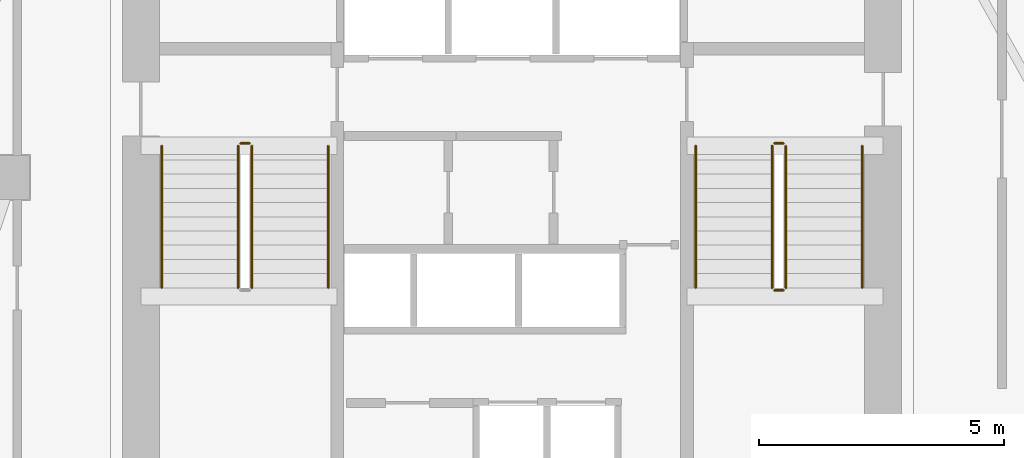
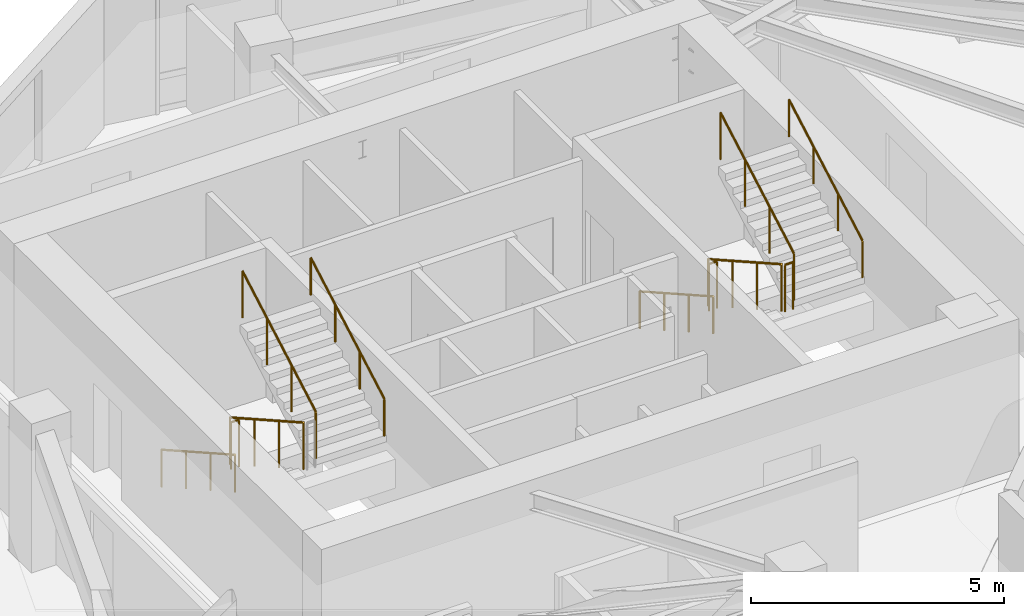
# One storey, part 11 of 12: 11 railings.
"""IFC4 building model written with IfcOpenShell, lengths in metres."""

import ifcopenshell
import ifcopenshell.guid

model = None  # the IFC model being written
_history = None  # IfcOwnerHistory: only IFC2X3 demands one
_inside = {}  # id of a spatial element -> (the spatial element, [elements in it])
_under = {}  # id of a project, library or spatial element -> (it, [spatial elements below it])
_declared = {}  # id of a project -> (the project, [libraries it declares])
_typed = {}  # id of a type object -> (the type object, [elements of that type])
_made_of = {}  # id of a material, layer set ... -> (it, [elements and type objects made of it])


def new_model(schema):
    """Start an empty IFC model of exactly this schema.

    Asked for "IFC4X3", IfcOpenShell would pick the latest addendum, in which some entities
    have other attributes; the version numbers below select the first issue.
    IFC2X3 requires an IfcOwnerHistory on every rooted entity: one is made here for all.
    """
    global model, _history
    if schema == "IFC4X3":
        model = ifcopenshell.file(schema_version=(4, 3, 0, 0))
    else:
        model = ifcopenshell.file(schema=schema)
    _inside.clear()
    _under.clear()
    _declared.clear()
    _typed.clear()
    _made_of.clear()
    _history = None
    if model.schema == "IFC2X3":
        org = make("IfcOrganization", Name="unknown")
        user = make(
            "IfcPersonAndOrganization",
            ThePerson=make("IfcPerson", FamilyName="unknown"),
            TheOrganization=org,
        )
        app = make(
            "IfcApplication",
            ApplicationDeveloper=org,
            Version="unknown",
            ApplicationFullName="unknown",
            ApplicationIdentifier="unknown",
        )
        _history = make(
            "IfcOwnerHistory",
            OwningUser=user,
            OwningApplication=app,
            ChangeAction="ADDED",
            CreationDate=0,
        )
    return model


def make(cls, **values):
    """One entity of the class cls with the attributes given. An attribute that is None is left unset."""
    return model.create_entity(
        cls, **{name: value for name, value in values.items() if value is not None}
    )


def rooted(cls, **values):
    """An entity with a GlobalId (a new one), such as an element, a storey or a relation."""
    return make(cls, GlobalId=ifcopenshell.guid.new(), OwnerHistory=_history, **values)


def si_unit(unit_type, name, prefix=None):
    """IfcSIUnit, for example si_unit("LENGTHUNIT", "METRE", prefix="MILLI")."""
    return make("IfcSIUnit", UnitType=unit_type, Prefix=prefix, Name=name)


def assignment(units):
    """IfcUnitAssignment: the units of a project."""
    return None if units is None else make("IfcUnitAssignment", Units=units)


def point(xyz):
    """IfcCartesianPoint."""
    return None if xyz is None else make("IfcCartesianPoint", Coordinates=xyz)


def direction(xyz):
    """IfcDirection."""
    return None if xyz is None else make("IfcDirection", DirectionRatios=xyz)


def frame(location, z_axis=None, x_axis=None):
    """IfcAxis2Placement3D, a coordinate frame: its origin and axes. An axis left out is left unset."""
    return make(
        "IfcAxis2Placement3D",
        Location=point(location),
        Axis=direction(z_axis),
        RefDirection=direction(x_axis),
    )


def frame_2d(location, x_axis=None):
    """IfcAxis2Placement2D, a coordinate frame in the plane: its origin and x axis."""
    return make(
        "IfcAxis2Placement2D", Location=point(location), RefDirection=direction(x_axis)
    )


def origin():
    """The frame at (0, 0, 0) with its axes left unset."""
    return frame((0.0, 0.0, 0.0))


def origin_2d():
    """The frame at (0, 0) in the plane with its x axis left unset."""
    return frame_2d((0.0, 0.0))


def place(relative_to, where):
    """IfcLocalPlacement: puts the frame where relative to a parent placement (None: the world)."""
    return make(
        "IfcLocalPlacement", PlacementRelTo=relative_to, RelativePlacement=where
    )


def context(
    kind, dimensions, precision=None, world=None, true_north=None, identifier=None
):
    """IfcGeometricRepresentationContext, for example the 3D "Model" context."""
    return make(
        "IfcGeometricRepresentationContext",
        ContextIdentifier=identifier,
        ContextType=kind,
        CoordinateSpaceDimension=dimensions,
        Precision=precision,
        WorldCoordinateSystem=world,
        TrueNorth=true_north,
    )


def subcontext(parent, identifier, kind, view, scale=None):
    """IfcGeometricRepresentationSubContext, for example "Body" below "Model"."""
    return make(
        "IfcGeometricRepresentationSubContext",
        ContextIdentifier=identifier,
        ContextType=kind,
        ParentContext=parent,
        TargetScale=scale,
        TargetView=view,
    )


def project(units=None, contexts=None):
    """IfcProject with its units and contexts."""
    return rooted(
        "IfcProject",
        Name="project",
        RepresentationContexts=contexts,
        UnitsInContext=assignment(units),
    )


def spatial(cls, under=None, at=None, **own):
    """A site, building, storey or space (cls), placed at a placement, below another one or the project."""
    s = rooted(cls, ObjectPlacement=at, **own)
    if under is not None:
        _under.setdefault(under.id(), (under, []))[1].append(s)
    return s


def profile(cls, at=None, kind="AREA", **sizes):
    """A parametric profile (cls). Its sizes go by their IFC names, for example OverallWidth=200.0."""
    return make(cls, ProfileType=kind, Position=at, **sizes)


def circle(**sizes):
    """IfcCircleProfileDef."""
    return profile("IfcCircleProfileDef", **sizes)


def extrude(swept, where, along, depth):
    """IfcExtrudedAreaSolid: the profile swept, set in the frame where, extruded along a direction by depth."""
    return make(
        "IfcExtrudedAreaSolid",
        SweptArea=swept,
        Position=where,
        ExtrudedDirection=direction(along),
        Depth=depth,
    )


def shape(context_of_items, identifier, shape_type, items):
    """IfcShapeRepresentation: the items that make up one representation, for example the "Body"."""
    return make(
        "IfcShapeRepresentation",
        ContextOfItems=context_of_items,
        RepresentationIdentifier=identifier,
        RepresentationType=shape_type,
        Items=items,
    )


def material(Name=None, Category=None):
    """IfcMaterial."""
    return make("IfcMaterial", Name=Name, Category=Category)


def made_of(thing, what):
    """Note that an element or type object is made of a material, layer set ...; save() writes the relation."""
    if what is not None:
        _made_of.setdefault(what.id(), (what, []))[1].append(thing)
    return thing


def type_object(cls, material=None, **own):
    """A type object (cls), such as IfcWallType, which elements share."""
    return made_of(rooted(cls, **own), material)


def element(
    cls,
    number,
    at=None,
    inside=None,
    cuts=None,
    type_object=None,
    material=None,
    context=None,
    identifier="Body",
    shape_type=None,
    held_by="IfcProductDefinitionShape",
    body=None,
    shapes=None,
    **own,
):
    """One element of the class cls, such as IfcWall. Its Tag is "e" and its number.

    at: its placement. inside: the storey or other place that contains it. cuts: it is an
    opening in that element (IfcRelVoidsElement). A single representation is given by context,
    identifier, shape_type and body (its items); several are given by shapes. held_by: the class
    of the entity that holds the representations. save() writes the other relations.
    """
    e = rooted(cls, Tag="e%d" % number, ObjectPlacement=at, **own)
    if body is not None:
        shapes = [shape(context, identifier, shape_type, body)]
    if shapes is not None:
        e.Representation = make(held_by, Representations=shapes)
    if inside is not None:
        _inside.setdefault(inside.id(), (inside, []))[1].append(e)
    if cuts is not None:
        rooted(
            "IfcRelVoidsElement", RelatingBuildingElement=cuts, RelatedOpeningElement=e
        )
    if type_object is not None:
        _typed.setdefault(type_object.id(), (type_object, []))[1].append(e)
    return made_of(e, material)


def aggregate(whole, parts):
    """IfcRelAggregates: a whole, such as a stair, and the parts it consists of."""
    return rooted("IfcRelAggregates", RelatingObject=whole, RelatedObjects=parts)


def save(model, path):
    """Write the relations noted so far, then the file.

    IfcRelAggregates (storeys below a building ...), IfcRelContainedInSpatialStructure (elements
    in a storey), IfcRelDefinesByType, IfcRelAssociatesMaterial and IfcRelDeclares: one each for
    every whole, place, type object, material and project.
    """
    for whole, parts in _under.values():
        aggregate(whole, parts)
    for where, things in _inside.values():
        rooted(
            "IfcRelContainedInSpatialStructure",
            RelatedElements=things,
            RelatingStructure=where,
        )
    for kind, things in _typed.values():
        rooted("IfcRelDefinesByType", RelatedObjects=things, RelatingType=kind)
    for what, things in _made_of.values():
        rooted("IfcRelAssociatesMaterial", RelatedObjects=things, RelatingMaterial=what)
    for by, libraries in _declared.values():
        rooted("IfcRelDeclares", RelatingContext=by, RelatedDefinitions=libraries)
    model.write(path)


model = new_model("IFC4")

# Units and contexts
model_context = context("Model", 3, precision=1e-05, world=origin(), true_north=direction((0.0, 1.0)))
body_context = subcontext(model_context, "Body", "Model", "MODEL_VIEW")
ifc_project = project(units=[si_unit("LENGTHUNIT", "METRE"), si_unit("AREAUNIT", "SQUARE_METRE"), si_unit("VOLUMEUNIT", "CUBIC_METRE"), si_unit("PLANEANGLEUNIT", "RADIAN"), si_unit("MASSUNIT", "GRAM", prefix="KILO")], contexts=[model_context])

# Site, building, storey
site_placement = place(None, origin())
site = spatial("IfcSite", under=ifc_project, at=site_placement, CompositionType="ELEMENT")
building_placement = place(site_placement, origin())
building = spatial("IfcBuilding", under=site, at=building_placement, Name="Calvemar Wedge Station Tower", CompositionType="ELEMENT")
storey_placement = place(building_placement, frame((0.0, 0.0, 135.800048828125)))
storey = spatial("IfcBuildingStorey", under=building, at=storey_placement, Name="L33", CompositionType="ELEMENT", Elevation=135.800048828125)

# Railings
ifc_material_1 = material(Name="Stainless steel AISI 316L", Category="steel")
railing_type_1 = type_object("IfcRailingType", Name="RL-HANDRAIL-920", PredefinedType="HANDRAIL", material=ifc_material_1)
railing_1_placement = place(storey_placement, frame((16.64990234375, 41.14990234375, 0.16357421875)))
element("IfcRailing", 1, at=railing_1_placement, inside=storey, type_object=railing_type_1, Name="L33 ST-C1 stair handrail 1", PredefinedType="HANDRAIL", context=body_context, shape_type="SweptSolid", body=[
    extrude(circle(Radius=0.02392578125, at=origin_2d()), frame((0.0, 0.0, 0.89599609375), z_axis=(0.0, -0.870897200241, 0.491465224214), x_axis=(1.0, 0.0, 0.0)), (0.0, 0.0, 1.0), 3.329833984375),
    extrude(circle(Radius=0.02099609375, at=origin_2d()), origin(), (0.0, 0.0, 1.0), 0.871826171875),
    extrude(circle(Radius=0.02099609375, at=origin_2d()), frame((0.0, -0.966552734375, 0.54541015625)), (0.0, 0.0, 1.0), 0.871826171875),
    extrude(circle(Radius=0.02099609375, at=origin_2d()), frame((0.0, -1.933349609375, 1.091064453125)), (0.0, 0.0, 1.0), 0.871826171875),
    extrude(circle(Radius=0.02099609375, at=origin_2d()), frame((0.0, -2.89990234375, 1.636474609375)), (0.0, 0.0, 1.0), 0.871826171875),
])
railing_2_placement = place(storey_placement, frame((20.050048828125, 38.25, 1.963623046875)))
element("IfcRailing", 2, at=railing_2_placement, inside=storey, type_object=railing_type_1, Name="L33 ST-C1 stair handrail 2", PredefinedType="HANDRAIL", context=body_context, shape_type="SweptSolid", body=[
    extrude(circle(Radius=0.02392578125, at=origin_2d()), frame((0.0, 0.0, 0.89599609375), z_axis=(0.0, 0.870928581787, 0.491409610636), x_axis=(-1.0, 0.0, 0.0)), (0.0, 0.0, 1.0), 3.32958984375),
    extrude(circle(Radius=0.02099609375, at=origin_2d()), origin(), (0.0, 0.0, 1.0), 0.871826171875),
    extrude(circle(Radius=0.02099609375, at=origin_2d()), frame((0.0, 0.966552734375, 0.54541015625)), (0.0, 0.0, 1.0), 0.871826171875),
    extrude(circle(Radius=0.02099609375, at=origin_2d()), frame((0.0, 1.933349609375, 1.0908203125)), (0.0, 0.0, 1.0), 0.871826171875),
    extrude(circle(Radius=0.02099609375, at=origin_2d()), frame((0.0, 2.89990234375, 1.63623046875)), (0.0, 0.0, 1.0), 0.871826171875),
])
railing_3_placement = place(storey_placement, frame((27.550048828125, 41.14990234375, 0.16357421875)))
element("IfcRailing", 3, at=railing_3_placement, inside=storey, type_object=railing_type_1, Name="L33 ST-C2 stair handrail 1", PredefinedType="HANDRAIL", context=body_context, shape_type="SweptSolid", body=[
    extrude(circle(Radius=0.02392578125, at=origin_2d()), frame((0.0, 0.0, 0.89599609375), z_axis=(0.0, -0.870897200241, 0.491465224214), x_axis=(1.0, 0.0, 0.0)), (0.0, 0.0, 1.0), 3.329833984375),
    extrude(circle(Radius=0.02099609375, at=origin_2d()), origin(), (0.0, 0.0, 1.0), 0.871826171875),
    extrude(circle(Radius=0.02099609375, at=origin_2d()), frame((0.0, -0.966552734375, 0.54541015625)), (0.0, 0.0, 1.0), 0.871826171875),
    extrude(circle(Radius=0.02099609375, at=origin_2d()), frame((0.0, -1.933349609375, 1.091064453125)), (0.0, 0.0, 1.0), 0.871826171875),
    extrude(circle(Radius=0.02099609375, at=origin_2d()), frame((0.0, -2.89990234375, 1.636474609375)), (0.0, 0.0, 1.0), 0.871826171875),
])
railing_4_placement = place(storey_placement, frame((30.949951171875, 38.25, 1.963623046875)))
element("IfcRailing", 4, at=railing_4_placement, inside=storey, type_object=railing_type_1, Name="L33 ST-C2 stair handrail 2", PredefinedType="HANDRAIL", context=body_context, shape_type="SweptSolid", body=[
    extrude(circle(Radius=0.02392578125, at=origin_2d()), frame((0.0, 0.0, 0.89599609375), z_axis=(0.0, 0.870928581787, 0.491409610636), x_axis=(-1.0, 0.0, 0.0)), (0.0, 0.0, 1.0), 3.32958984375),
    extrude(circle(Radius=0.02099609375, at=origin_2d()), origin(), (0.0, 0.0, 1.0), 0.871826171875),
    extrude(circle(Radius=0.02099609375, at=origin_2d()), frame((0.0, 0.966552734375, 0.54541015625)), (0.0, 0.0, 1.0), 0.871826171875),
    extrude(circle(Radius=0.02099609375, at=origin_2d()), frame((0.0, 1.933349609375, 1.0908203125)), (0.0, 0.0, 1.0), 0.871826171875),
    extrude(circle(Radius=0.02099609375, at=origin_2d()), frame((0.0, 2.89990234375, 1.63623046875)), (0.0, 0.0, 1.0), 0.871826171875),
])
ifc_material_2 = material(Name="Painted steel guardrail ASTM A500 Grade C", Category="steel")
railing_type_2 = type_object("IfcRailingType", Name="RL-STAIR-GUARD-1150", PredefinedType="GUARDRAIL", material=ifc_material_2)
railing_5_placement = place(storey_placement, frame((18.2099609375, 41.14990234375, 0.16357421875)))
element("IfcRailing", 5, at=railing_5_placement, inside=storey, type_object=railing_type_2, Name="L33 ST-C1 stair guard 1", PredefinedType="GUARDRAIL", context=body_context, shape_type="SweptSolid", body=[
    extrude(circle(Radius=0.02392578125, at=origin_2d()), frame((0.0, 0.0, 1.1259765625), z_axis=(0.0, -0.870897200241, 0.491465224214), x_axis=(1.0, 0.0, 0.0)), (0.0, 0.0, 1.0), 3.329833984375),
    extrude(circle(Radius=0.02099609375, at=origin_2d()), origin(), (0.0, 0.0, 1.0), 1.101806640625),
    extrude(circle(Radius=0.02099609375, at=origin_2d()), frame((0.0, -0.966552734375, 0.54541015625)), (0.0, 0.0, 1.0), 1.101806640625),
    extrude(circle(Radius=0.02099609375, at=origin_2d()), frame((0.0, -1.933349609375, 1.091064453125)), (0.0, 0.0, 1.0), 1.101806640625),
    extrude(circle(Radius=0.02099609375, at=origin_2d()), frame((0.0, -2.89990234375, 1.636474609375)), (0.0, 0.0, 1.0), 1.101806640625),
])
railing_6_placement = place(storey_placement, frame((18.489990234375, 38.25, 1.963623046875)))
element("IfcRailing", 6, at=railing_6_placement, inside=storey, type_object=railing_type_2, Name="L33 ST-C1 stair guard 3", PredefinedType="GUARDRAIL", context=body_context, shape_type="SweptSolid", body=[
    extrude(circle(Radius=0.02392578125, at=origin_2d()), frame((0.0, 0.0, 1.1259765625), z_axis=(0.0, 0.870928581787, 0.491409610636), x_axis=(-1.0, 0.0, 0.0)), (0.0, 0.0, 1.0), 3.32958984375),
    extrude(circle(Radius=0.02099609375, at=origin_2d()), origin(), (0.0, 0.0, 1.0), 1.101806640625),
    extrude(circle(Radius=0.02099609375, at=origin_2d()), frame((0.0, 0.966552734375, 0.54541015625)), (0.0, 0.0, 1.0), 1.101806640625),
    extrude(circle(Radius=0.02099609375, at=origin_2d()), frame((0.0, 1.933349609375, 1.0908203125)), (0.0, 0.0, 1.0), 1.101806640625),
    extrude(circle(Radius=0.02099609375, at=origin_2d()), frame((0.0, 2.89990234375, 1.63623046875)), (0.0, 0.0, 1.0), 1.101806640625),
])
railing_7_placement = place(storey_placement, frame((18.260009765625, 41.199951171875, 0.0)))
element("IfcRailing", 7, at=railing_7_placement, inside=storey, type_object=railing_type_2, Name="L33 ST-C1 stair guard 4", PredefinedType="GUARDRAIL", context=body_context, shape_type="SweptSolid", body=[
    extrude(circle(Radius=0.02392578125, at=origin_2d()), frame((0.0, 0.0, 1.1259765625), z_axis=(1.0, 0.0, 0.0), x_axis=(0.0, 1.0, 0.0)), (0.0, 0.0, 1.0), 0.179931640625),
    extrude(circle(Radius=0.02099609375, at=origin_2d()), origin(), (0.0, 0.0, 1.0), 1.101806640625),
    extrude(circle(Radius=0.02099609375, at=origin_2d()), frame((0.179931640625, 0.0, 0.0)), (0.0, 0.0, 1.0), 1.101806640625),
])
railing_8_placement = place(storey_placement, frame((29.110107421875, 41.14990234375, 0.16357421875)))
element("IfcRailing", 8, at=railing_8_placement, inside=storey, type_object=railing_type_2, Name="L33 ST-C2 stair guard 1", PredefinedType="GUARDRAIL", context=body_context, shape_type="SweptSolid", body=[
    extrude(circle(Radius=0.02392578125, at=origin_2d()), frame((0.0, 0.0, 1.1259765625), z_axis=(0.0, -0.870897200241, 0.491465224214), x_axis=(1.0, 0.0, 0.0)), (0.0, 0.0, 1.0), 3.329833984375),
    extrude(circle(Radius=0.02099609375, at=origin_2d()), origin(), (0.0, 0.0, 1.0), 1.101806640625),
    extrude(circle(Radius=0.02099609375, at=origin_2d()), frame((0.0, -0.966552734375, 0.54541015625)), (0.0, 0.0, 1.0), 1.101806640625),
    extrude(circle(Radius=0.02099609375, at=origin_2d()), frame((0.0, -1.933349609375, 1.091064453125)), (0.0, 0.0, 1.0), 1.101806640625),
    extrude(circle(Radius=0.02099609375, at=origin_2d()), frame((0.0, -2.89990234375, 1.636474609375)), (0.0, 0.0, 1.0), 1.101806640625),
])
railing_9_placement = place(storey_placement, frame((29.159912109375, 38.199951171875, 1.800048828125)))
element("IfcRailing", 9, at=railing_9_placement, inside=storey, type_object=railing_type_2, Name="L33 ST-C2 stair guard 2", PredefinedType="GUARDRAIL", context=body_context, shape_type="SweptSolid", body=[
    extrude(circle(Radius=0.02392578125, at=origin_2d()), frame((0.0, 0.0, 1.1259765625), z_axis=(1.0, 0.0, 0.0), x_axis=(0.0, 1.0, 0.0)), (0.0, 0.0, 1.0), 0.18017578125),
    extrude(circle(Radius=0.02099609375, at=origin_2d()), origin(), (0.0, 0.0, 1.0), 1.101806640625),
    extrude(circle(Radius=0.02099609375, at=origin_2d()), frame((0.18017578125, 0.0, 0.0)), (0.0, 0.0, 1.0), 1.101806640625),
])
railing_10_placement = place(storey_placement, frame((29.389892578125, 38.25, 1.963623046875)))
element("IfcRailing", 10, at=railing_10_placement, inside=storey, type_object=railing_type_2, Name="L33 ST-C2 stair guard 3", PredefinedType="GUARDRAIL", context=body_context, shape_type="SweptSolid", body=[
    extrude(circle(Radius=0.02392578125, at=origin_2d()), frame((0.0, 0.0, 1.1259765625), z_axis=(0.0, 0.870928581787, 0.491409610636), x_axis=(-1.0, 0.0, 0.0)), (0.0, 0.0, 1.0), 3.32958984375),
    extrude(circle(Radius=0.02099609375, at=origin_2d()), origin(), (0.0, 0.0, 1.0), 1.101806640625),
    extrude(circle(Radius=0.02099609375, at=origin_2d()), frame((0.0, 0.966552734375, 0.54541015625)), (0.0, 0.0, 1.0), 1.101806640625),
    extrude(circle(Radius=0.02099609375, at=origin_2d()), frame((0.0, 1.933349609375, 1.0908203125)), (0.0, 0.0, 1.0), 1.101806640625),
    extrude(circle(Radius=0.02099609375, at=origin_2d()), frame((0.0, 2.89990234375, 1.63623046875)), (0.0, 0.0, 1.0), 1.101806640625),
])
railing_11_placement = place(storey_placement, frame((29.159912109375, 41.199951171875, 0.0)))
element("IfcRailing", 11, at=railing_11_placement, inside=storey, type_object=railing_type_2, Name="L33 ST-C2 stair guard 4", PredefinedType="GUARDRAIL", context=body_context, shape_type="SweptSolid", body=[
    extrude(circle(Radius=0.02392578125, at=origin_2d()), frame((0.0, 0.0, 1.1259765625), z_axis=(1.0, 0.0, 0.0), x_axis=(0.0, 1.0, 0.0)), (0.0, 0.0, 1.0), 0.18017578125),
    extrude(circle(Radius=0.02099609375, at=origin_2d()), origin(), (0.0, 0.0, 1.0), 1.101806640625),
    extrude(circle(Radius=0.02099609375, at=origin_2d()), frame((0.18017578125, 0.0, 0.0)), (0.0, 0.0, 1.0), 1.101806640625),
])

save(model, "model.ifc")
